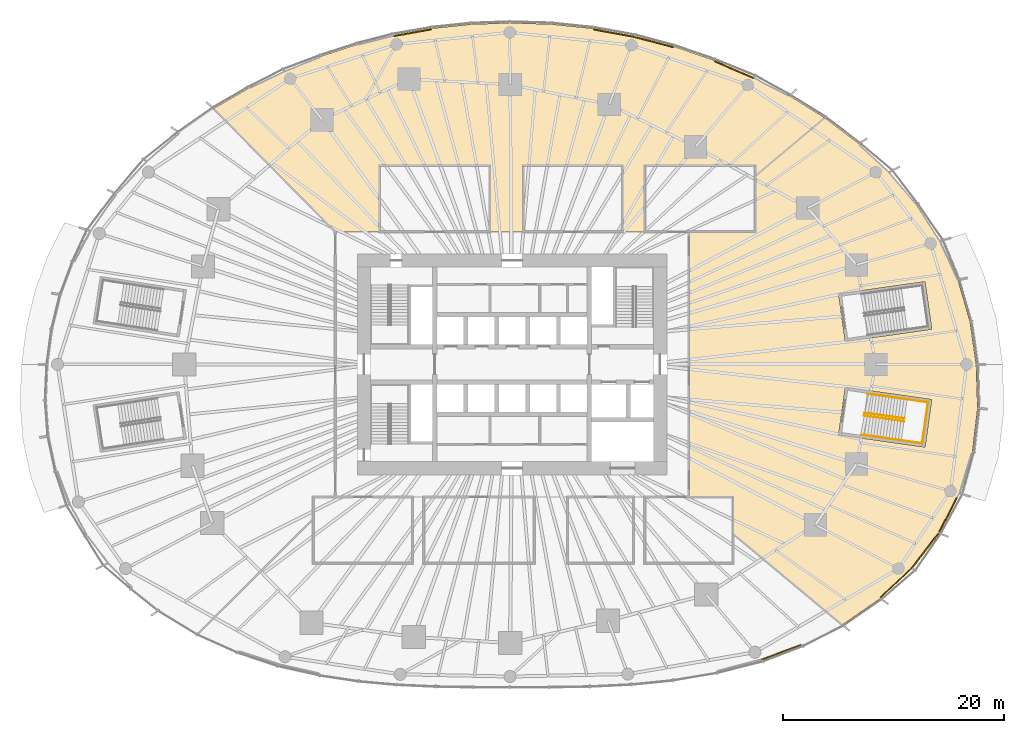
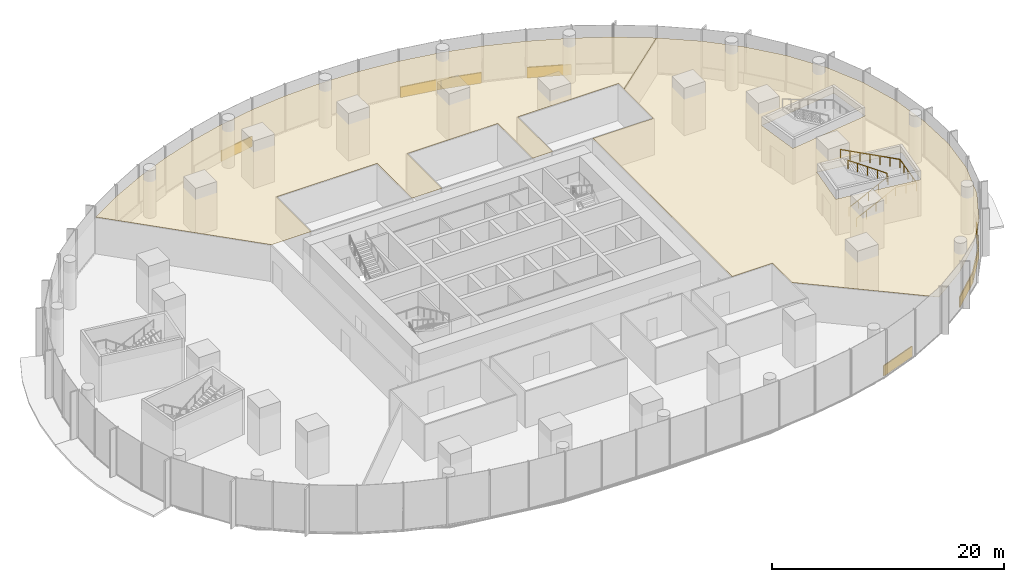
# One storey, part 27 of 28: 11 coverings, 5 railings.
"""IFC4 building model written with IfcOpenShell, lengths in metres."""

from ifc_helpers import new_model, si_unit, direction, frame, origin, origin_2d, place, context, subcontext, project, spatial, polyline, rectangle, circle, outline, extrude, material, layer, layer_set, type_object, element, save


model = new_model("IFC4")

# Units and contexts
model_context = context("Model", 3, precision=1e-05, world=origin(), true_north=direction((0.0, 1.0)))
body_context = subcontext(model_context, "Body", "Model", "MODEL_VIEW")
ifc_project = project(units=[si_unit("LENGTHUNIT", "METRE"), si_unit("AREAUNIT", "SQUARE_METRE"), si_unit("VOLUMEUNIT", "CUBIC_METRE"), si_unit("PLANEANGLEUNIT", "RADIAN"), si_unit("MASSUNIT", "GRAM", prefix="KILO")], contexts=[model_context])

# Site, building, storey
site_placement = place(None, origin())
site = spatial("IfcSite", under=ifc_project, at=site_placement, CompositionType="ELEMENT")
building_placement = place(site_placement, origin())
building = spatial("IfcBuilding", under=site, at=building_placement, Name="Ghaith Harvest Tower", CompositionType="ELEMENT")
storey_placement = place(building_placement, frame((0.0, 0.0, 5.0)))
storey = spatial("IfcBuildingStorey", under=building, at=storey_placement, Name="L01", CompositionType="ELEMENT", Elevation=5.0)

# Coverings
ifc_material_1 = material(Name="Mineral fibre ceiling tile", Category="gypsum")
ifc_layer_1 = layer(ifc_material_1, 0.014892578125)
ifc_layer_set_1 = layer_set([ifc_layer_1], Name="CEILING C3")
covering_type_1 = type_object("IfcCoveringType", Name="CEILING C3", PredefinedType="CEILING", material=ifc_layer_set_1)
covering_1_placement = place(storey_placement, frame((0.0, 0.0, 3.800048828125)))
element("IfcCovering", 1, at=covering_1_placement, inside=storey, type_object=covering_type_1, Name="Ceiling L01-N1", PredefinedType="CEILING", context=body_context, shape_type="SweptSolid", body=[
    extrude(outline(polyline([(-23.8251953125, 25.008056640625), (-20.624267578125, 26.55615234375), (-17.31640625, 27.882568359375), (-14.027099609375, 28.951416015625), (-10.755126953125, 29.778076171875), (-7.227783203125, 30.410400390625), (-3.714111328125, 30.778564453125), (-0.21142578125, 30.899658203125), (3.546875, 30.789794921875), (7.317138671875, 30.397705078125), (11.103271484375, 29.701171875), (14.681396484375, 28.758056640625), (18.281005859375, 27.522705078125), (21.901123046875, 25.9716796875), (25.11083984375, 24.3037109375), (28.29345703125, 22.319580078125), (22.0, 17.03662109375), (22.0, 18.0), (12.0, 18.0), (12.0, 12.0), (10.0, 12.0), (10.0, 18.0), (1.0, 18.0), (1.0, 12.0), (-2.0, 12.0), (-2.0, 18.0), (-12.0, 18.0), (-12.0, 12.0), (-16.0, 12.0), (-27.0146484375, 23.16162109375), (-23.8251953125, 25.008056640625)])), origin(), (0.0, 0.0, 1.0), 0.014892578125),
])
covering_2_placement = place(storey_placement, frame((0.0, 0.0, 3.800048828125)))
element("IfcCovering", 2, at=covering_2_placement, inside=storey, type_object=covering_type_1, Name="Ceiling L01-E1", PredefinedType="CEILING", context=body_context, shape_type="SweptSolid", body=[
    extrude(outline(polyline([(31.389404296875, 19.9765625), (34.138671875, 17.4111328125), (36.625732421875, 14.47998046875), (38.736572265625, 11.19580078125), (40.3486328125, 7.658203125), (41.43310546875, 3.897216796875), (42.0, 0.0), (42.129150390625, -3.962646484375), (41.6611328125, -7.9072265625), (40.513427734375, -11.709228515625), (38.668212890625, -15.287353515625), (36.223876953125, -18.474609375), (33.314208984375, -21.201416015625), (29.87744140625, -23.5693359375), (20.0, -15.334716796875), (20.0, -12.0), (16.0, -12.0), (16.0, 12.0), (22.0, 12.0), (22.0, 17.03662109375), (28.29345703125, 22.319580078125), (31.389404296875, 19.9765625)]), holes=[polyline([(37.369140625, 7.488525390625), (29.547119140625, 6.381103515625), (30.156982421875, 2.073974609375), (37.97900390625, 3.181640625), (37.369140625, 7.488525390625)]), polyline([(30.156982421875, -2.073974609375), (29.547119140625, -6.381103515625), (37.369140625, -7.488525390625), (37.97900390625, -3.181640625), (30.156982421875, -2.073974609375)])]), origin(), (0.0, 0.0, 1.0), 0.014892578125),
])

# Railings
ifc_material_2 = material(Name="Steel, black powder-coated", Category="steel")
railing_type = type_object("IfcRailingType", Name="HANDRAIL HR1", PredefinedType="HANDRAIL", material=ifc_material_2)
railing_1_placement = place(storey_placement, frame((31.864501953125, -4.638671875, 0.178466796875)))
element("IfcRailing", 3, at=railing_1_placement, inside=storey, type_object=railing_type, Name="Handrail HR1 stair PS4 L01 flight 1 inner", PredefinedType="HANDRAIL", context=body_context, shape_type="SweptSolid", body=[
    extrude(circle(Radius=0.02392578125, at=origin_2d()), frame((0.0, 0.0, 0.8759765625), z_axis=(0.834789956534, -0.118189338108, 0.537733213432), x_axis=(0.140181743649, 0.990125789356, 0.0)), (0.0, 0.0, 1.0), 4.317138671875),
    extrude(circle(Radius=0.02099609375, at=origin_2d()), origin(), (0.0, 0.0, 1.0), 0.851806640625),
    extrude(circle(Radius=0.02099609375, at=origin_2d()), frame((0.90087890625, -0.12744140625, 0.580322265625)), (0.0, 0.0, 1.0), 0.851806640625),
    extrude(circle(Radius=0.02099609375, at=origin_2d()), frame((1.802001953125, -0.255126953125, 1.16064453125)), (0.0, 0.0, 1.0), 0.851806640625),
    extrude(circle(Radius=0.02099609375, at=origin_2d()), frame((2.703125, -0.3828125, 1.7412109375)), (0.0, 0.0, 1.0), 0.851806640625),
    extrude(circle(Radius=0.02099609375, at=origin_2d()), frame((3.60400390625, -0.51025390625, 2.321533203125)), (0.0, 0.0, 1.0), 0.851806640625),
])
railing_2_placement = place(storey_placement, frame((35.50341796875, -4.901611328125, 2.678466796875)))
element("IfcRailing", 4, at=railing_2_placement, inside=storey, type_object=railing_type, Name="Handrail HR1 stair PS4 L01 flight 2 inner", PredefinedType="HANDRAIL", context=body_context, shape_type="SweptSolid", body=[
    extrude(circle(Radius=0.02392578125, at=origin_2d()), frame((0.0, 0.0, 0.8759765625), z_axis=(-0.834784375855, 0.118245097542, 0.537729618615), x_axis=(-0.140247497288, -0.990116477746, 0.0)), (0.0, 0.0, 1.0), 4.3173828125),
    extrude(circle(Radius=0.02099609375, at=origin_2d()), origin(), (0.0, 0.0, 1.0), 0.851806640625),
    extrude(circle(Radius=0.02099609375, at=origin_2d()), frame((-0.90087890625, 0.127685546875, 0.580322265625)), (0.0, 0.0, 1.0), 0.851806640625),
    extrude(circle(Radius=0.02099609375, at=origin_2d()), frame((-1.802001953125, 0.25537109375, 1.16064453125)), (0.0, 0.0, 1.0), 0.851806640625),
    extrude(circle(Radius=0.02099609375, at=origin_2d()), frame((-2.703125, 0.3828125, 1.7412109375)), (0.0, 0.0, 1.0), 0.851806640625),
    extrude(circle(Radius=0.02099609375, at=origin_2d()), frame((-3.60400390625, 0.510498046875, 2.321533203125)), (0.0, 0.0, 1.0), 0.851806640625),
])
railing_3_placement = place(storey_placement, frame((31.618896484375, -6.371337890625, 0.178466796875)))
element("IfcRailing", 5, at=railing_3_placement, inside=storey, type_object=railing_type, Name="Handrail HR1 stair PS4 L01 wall side flight 1", PredefinedType="HANDRAIL", context=body_context, shape_type="SweptSolid", body=[
    extrude(circle(Radius=0.02392578125, at=origin_2d()), frame((0.0, 0.0, 0.8759765625), z_axis=(0.834789956534, -0.118189338108, 0.537733213432), x_axis=(0.140181743649, 0.990125789356, 0.0)), (0.0, 0.0, 1.0), 4.317138671875),
    extrude(circle(Radius=0.02099609375, at=origin_2d()), origin(), (0.0, 0.0, 1.0), 0.851806640625),
    extrude(circle(Radius=0.02099609375, at=origin_2d()), frame((0.90087890625, -0.12744140625, 0.580322265625)), (0.0, 0.0, 1.0), 0.851806640625),
    extrude(circle(Radius=0.02099609375, at=origin_2d()), frame((1.802001953125, -0.255126953125, 1.16064453125)), (0.0, 0.0, 1.0), 0.851806640625),
    extrude(circle(Radius=0.02099609375, at=origin_2d()), frame((2.703125, -0.3828125, 1.7412109375)), (0.0, 0.0, 1.0), 0.851806640625),
    extrude(circle(Radius=0.02099609375, at=origin_2d()), frame((3.60400390625, -0.51025390625, 2.321533203125)), (0.0, 0.0, 1.0), 0.851806640625),
])
railing_4_placement = place(storey_placement, frame((35.222900390625, -6.881591796875, 2.5)))
element("IfcRailing", 6, at=railing_4_placement, inside=storey, type_object=railing_type, Name="Handrail HR1 stair PS4 L01 wall side half landing", PredefinedType="HANDRAIL", context=body_context, shape_type="SweptSolid", body=[
    extrude(circle(Radius=0.02392578125, at=origin_2d()), frame((0.0, 0.0, 0.8759765625), z_axis=(0.990122563761, -0.140204524648, 0.0), x_axis=(0.140204524648, 0.990122563761, 0.0)), (0.0, 0.0, 1.0), 1.91015625),
    extrude(circle(Radius=0.02392578125, at=origin_2d()), frame((1.891357421875, -0.267822265625, 0.8759765625), z_axis=(0.140172516892, 0.990127095634, 0.0), x_axis=(-0.990127095634, 0.140172516892, 0.0)), (0.0, 0.0, 1.0), 3.75),
    extrude(circle(Radius=0.02099609375, at=origin_2d()), origin(), (0.0, 0.0, 1.0), 0.851806640625),
    extrude(circle(Radius=0.02099609375, at=origin_2d()), frame((0.94580078125, -0.1337890625, 0.0)), (0.0, 0.0, 1.0), 0.851806640625),
    extrude(circle(Radius=0.02099609375, at=origin_2d()), frame((1.891357421875, -0.267822265625, 0.0)), (0.0, 0.0, 1.0), 0.851806640625),
    extrude(circle(Radius=0.02099609375, at=origin_2d()), frame((2.022705078125, 0.660400390625, 0.0)), (0.0, 0.0, 1.0), 0.851806640625),
    extrude(circle(Radius=0.02099609375, at=origin_2d()), frame((2.154296875, 1.588623046875, 0.0)), (0.0, 0.0, 1.0), 0.851806640625),
    extrude(circle(Radius=0.02099609375, at=origin_2d()), frame((2.28564453125, 2.516845703125, 0.0)), (0.0, 0.0, 1.0), 0.851806640625),
    extrude(circle(Radius=0.02099609375, at=origin_2d()), frame((2.4169921875, 3.445068359375, 0.0)), (0.0, 0.0, 1.0), 0.851806640625),
])
railing_5_placement = place(storey_placement, frame((37.639892578125, -3.4365234375, 2.5)))
element("IfcRailing", 7, at=railing_5_placement, inside=storey, type_object=railing_type, Name="Handrail HR1 stair PS4 L01 wall side flight 2", PredefinedType="HANDRAIL", context=body_context, shape_type="SweptSolid", body=[
    extrude(circle(Radius=0.02392578125, at=origin_2d()), frame((0.0, 0.0, 0.8759765625), z_axis=(-0.902761020002, 0.12782563403, 0.410710540466), x_axis=(-0.140195690307, -0.990123814692, 0.0)), (0.0, 0.0, 1.0), 6.0869140625),
    extrude(circle(Radius=0.02099609375, at=origin_2d()), origin(), (0.0, 0.0, 1.0), 0.851806640625),
    extrude(circle(Radius=0.02099609375, at=origin_2d()), frame((-0.915771484375, 0.129638671875, 0.416748046875)), (0.0, 0.0, 1.0), 0.851806640625),
    extrude(circle(Radius=0.02099609375, at=origin_2d()), frame((-1.831787109375, 0.25927734375, 0.833251953125)), (0.0, 0.0, 1.0), 0.851806640625),
    extrude(circle(Radius=0.02099609375, at=origin_2d()), frame((-2.74755859375, 0.38916015625, 1.25)), (0.0, 0.0, 1.0), 0.851806640625),
    extrude(circle(Radius=0.02099609375, at=origin_2d()), frame((-3.663330078125, 0.518798828125, 1.666748046875)), (0.0, 0.0, 1.0), 0.851806640625),
    extrude(circle(Radius=0.02099609375, at=origin_2d()), frame((-4.579345703125, 0.6484375, 2.083251953125)), (0.0, 0.0, 1.0), 0.851806640625),
    extrude(circle(Radius=0.02099609375, at=origin_2d()), frame((-5.4951171875, 0.778076171875, 2.5)), (0.0, 0.0, 1.0), 0.851806640625),
])

# Coverings
ifc_material_3 = material(Name="Insulated aluminium spandrel panel on steel framing", Category="steel")
ifc_layer_2 = layer(ifc_material_3, 0.10009765625)
ifc_layer_set_2 = layer_set([ifc_layer_2], Name="SLAB EDGE UPSTAND 1100x100")
covering_type_2 = type_object("IfcCoveringType", Name="SLAB EDGE UPSTAND 1100x100", PredefinedType="CLADDING", material=ifc_layer_set_2)
covering_3_placement = place(storey_placement, frame((20.1171875, 26.681640625, 0.0), z_axis=(0.0, 0.0, 1.0), x_axis=(-0.919190597387, 0.39381295773, 0.0)))
element("IfcCovering", 8, at=covering_3_placement, inside=storey, type_object=covering_type_2, Name="Slab edge upstand 1 bay 04 L01", PredefinedType="CLADDING", context=body_context, shape_type="SweptSolid", body=[
    extrude(rectangle(XDim=3.838623046875, YDim=0.10009765625, at=origin_2d()), origin(), (0.0, 0.0, 1.0), 1.10009765625),
])
covering_4_placement = place(storey_placement, frame((12.831298828125, 29.19384765625, 0.0), z_axis=(0.0, 0.0, 1.0), x_axis=(-0.966975363685, 0.25486986096, 0.0)))
element("IfcCovering", 9, at=covering_4_placement, inside=storey, type_object=covering_type_2, Name="Slab edge upstand 3 bay 04 L01", PredefinedType="CLADDING", context=body_context, shape_type="SweptSolid", body=[
    extrude(rectangle(XDim=3.600341796875, YDim=0.10009765625, at=origin_2d()), origin(), (0.0, 0.0, 1.0), 1.10009765625),
])
covering_5_placement = place(storey_placement, frame((9.25048828125, 29.9912109375, 0.0), z_axis=(0.0, 0.0, 1.0), x_axis=(-0.983492218086, 0.180950426815, 0.0)))
element("IfcCovering", 10, at=covering_5_placement, inside=storey, type_object=covering_type_2, Name="Slab edge upstand 1 bay 05 L01", PredefinedType="CLADDING", context=body_context, shape_type="SweptSolid", body=[
    extrude(rectangle(XDim=3.749755859375, YDim=0.10009765625, at=origin_2d()), origin(), (0.0, 0.0, 1.0), 1.10009765625),
])
covering_6_placement = place(storey_placement, frame((-9.031982421875, 30.0361328125, 0.0), z_axis=(0.0, 0.0, 1.0), x_axis=(-0.984304374545, -0.176479172288, 0.0)))
element("IfcCovering", 11, at=covering_6_placement, inside=storey, type_object=covering_type_2, Name="Slab edge upstand 3 bay 06 L01", PredefinedType="CLADDING", context=body_context, shape_type="SweptSolid", body=[
    extrude(rectangle(XDim=3.483642578125, YDim=0.10009765625, at=origin_2d()), origin(), (0.0, 0.0, 1.0), 1.10009765625),
])
covering_7_placement = place(storey_placement, frame((24.350341796875, -26.061279296875, 0.0), z_axis=(0.0, 0.0, 1.0), x_axis=(0.937518614693, 0.347935119101, 0.0)))
element("IfcCovering", 12, at=covering_7_placement, inside=storey, type_object=covering_type_2, Name="Slab edge upstand 1 bay 18 L01", PredefinedType="CLADDING", context=body_context, shape_type="SweptSolid", body=[
    extrude(rectangle(XDim=3.820556640625, YDim=0.10009765625, at=origin_2d()), origin(), (0.0, 0.0, 1.0), 1.10009765625),
])
covering_8_placement = place(storey_placement, frame((34.4287109375, -20.08837890625, 0.0), z_axis=(0.0, 0.0, 1.0), x_axis=(0.729659021671, 0.683811166985, 0.0)))
element("IfcCovering", 13, at=covering_8_placement, inside=storey, type_object=covering_type_2, Name="Slab edge upstand 1 bay 19 L01", PredefinedType="CLADDING", context=body_context, shape_type="SweptSolid", body=[
    extrude(rectangle(XDim=2.9482421875, YDim=0.10009765625, at=origin_2d()), origin(), (0.0, 0.0, 1.0), 1.10009765625),
])
covering_9_placement = place(storey_placement, frame((35.876953125, -18.731201171875, 0.0), z_axis=(0.0, 0.0, 1.0), x_axis=(0.729659021671, 0.683811166985, 0.0)))
element("IfcCovering", 14, at=covering_9_placement, inside=storey, type_object=covering_type_2, Name="Slab edge upstand 1 bay 19 L01", PredefinedType="CLADDING", context=body_context, shape_type="SweptSolid", body=[
    extrude(rectangle(XDim=0.857177734375, YDim=0.10009765625, at=origin_2d()), origin(), (0.0, 0.0, 1.0), 1.10009765625),
])
covering_10_placement = place(storey_placement, frame((37.3759765625, -16.89013671875, 0.0), z_axis=(0.0, 0.0, 1.0), x_axis=(0.60853664188, 0.793525774937, 0.0)))
element("IfcCovering", 15, at=covering_10_placement, inside=storey, type_object=covering_type_2, Name="Slab edge upstand 2 bay 19 L01", PredefinedType="CLADDING", context=body_context, shape_type="SweptSolid", body=[
    extrude(rectangle(XDim=3.91650390625, YDim=0.10009765625, at=origin_2d()), origin(), (0.0, 0.0, 1.0), 1.10009765625),
])
covering_11_placement = place(storey_placement, frame((39.474853515625, -13.61376953125, 0.0), z_axis=(0.0, 0.0, 1.0), x_axis=(0.458352603838, 0.888770437489, 0.0)))
element("IfcCovering", 16, at=covering_11_placement, inside=storey, type_object=covering_type_2, Name="Slab edge upstand 3 bay 19 L01", PredefinedType="CLADDING", context=body_context, shape_type="SweptSolid", body=[
    extrude(rectangle(XDim=3.5146484375, YDim=0.10009765625, at=origin_2d()), origin(), (0.0, 0.0, 1.0), 1.10009765625),
])

save(model, "model.ifc")
